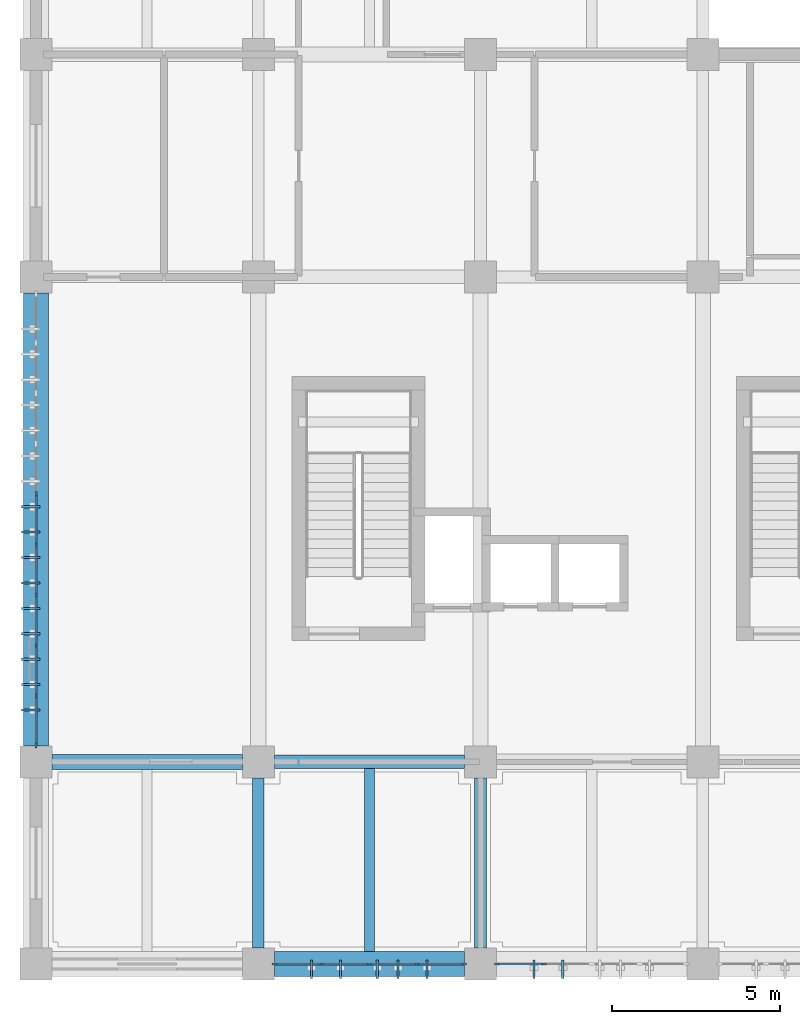
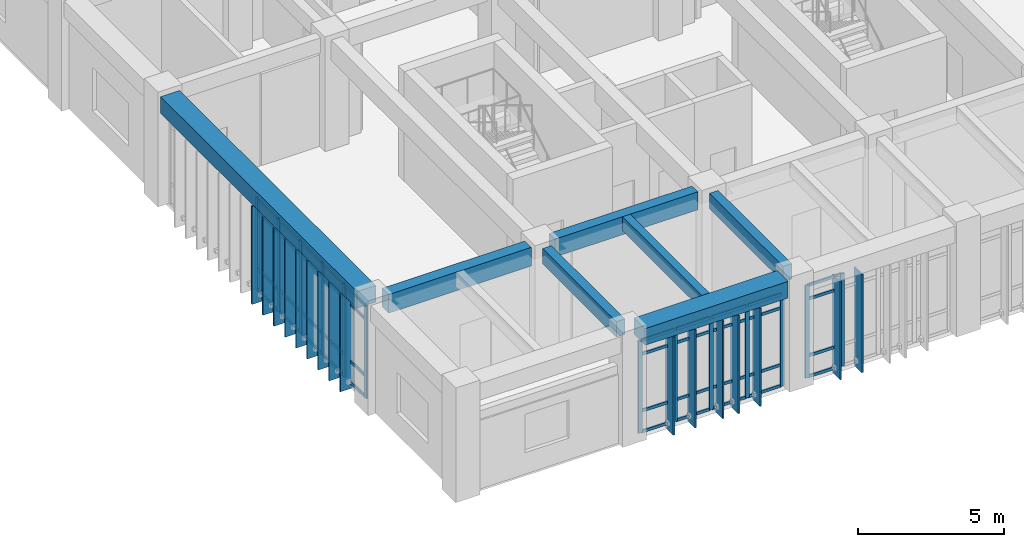
# One storey, part 2 of 68: 69 members, 7 beams, 3 elements without a shape of their own.
"""IFC4 building model written with IfcOpenShell, lengths in metres."""

from ifc_helpers import new_model, si_unit, direction, frame, origin, origin_2d, place, context, subcontext, project, spatial, rectangle, extrude, material, layer, layer_set, material_profile, profile_set, type_object, element, aggregate, save


model = new_model("IFC4")

# Units and contexts
model_context = context("Model", 3, precision=1e-05, world=origin(), true_north=direction((0.0, 1.0)))
body_context = subcontext(model_context, "Body", "Model", "MODEL_VIEW")
ifc_project = project(units=[si_unit("LENGTHUNIT", "METRE"), si_unit("AREAUNIT", "SQUARE_METRE"), si_unit("VOLUMEUNIT", "CUBIC_METRE"), si_unit("PLANEANGLEUNIT", "RADIAN"), si_unit("MASSUNIT", "GRAM", prefix="KILO")], contexts=[model_context])

# Site, building, storey
site_placement = place(None, origin())
site = spatial("IfcSite", under=ifc_project, at=site_placement, CompositionType="ELEMENT")
building_placement = place(site_placement, origin())
building = spatial("IfcBuilding", under=site, at=building_placement, Name="Miralva Faculty of Natural Sciences", CompositionType="ELEMENT")
storey_placement = place(building_placement, frame((0.0, 0.0, 5.39990234375)))
storey = spatial("IfcBuildingStorey", under=building, at=storey_placement, Name="L01", CompositionType="ELEMENT", Elevation=5.39990234375)

# Beams
ifc_material_1 = material(Name="Concrete C40/50", Category="concrete")
ifc_material_profile_1 = material_profile(ifc_material_1, rectangle(XDim=0.39990234375, YDim=0.75, at=origin_2d()), Name="RC 400x750")
ifc_profile_set_1 = profile_set([ifc_material_profile_1], Name="Concrete C40/50")
beam_type_1 = type_object("IfcBeamType", Name="BM-B03", PredefinedType="BEAM", material=ifc_profile_set_1)
beam_1_placement = place(storey_placement, frame((10.074951171875, 9.0, 4.205078125), z_axis=(1.0, 0.0, 0.0), x_axis=(0.0, 1.0, 0.0)))
element("IfcBeam", 1, at=beam_1_placement, inside=storey, type_object=beam_type_1, Name="Girder EW L01-12", PredefinedType="BEAM", context=body_context, shape_type="SweptSolid", body=[
    extrude(rectangle(XDim=0.39990234375, YDim=0.75, at=origin_2d()), origin(), (0.0, 0.0, 1.0), 5.650146484375),
])
ifc_material_profile_2 = material_profile(ifc_material_1, rectangle(XDim=0.35009765625, YDim=0.64990234375, at=origin_2d()), Name="RC 350x650")
ifc_profile_set_2 = profile_set([ifc_material_profile_2], Name="Concrete C40/50")
beam_type_2 = type_object("IfcBeamType", Name="BM-B05", PredefinedType="BEAM", material=ifc_profile_set_2)
for number, where, z_axis, x_axis, name in (
    (2, (9.60009765625, 3.47509765625, 4.255126953125), (0.0, 1.0, 0.0), (-1.0, 0.0, 0.0), "Girder NS L01-109"),
    (3, (16.199951171875, 3.47509765625, 4.255126953125), (0.0, 1.0, 0.0), (-1.0, 0.0, 0.0), "Girder NS L01-122"),
):
    element("IfcBeam", number, at=place(storey_placement, frame(where, z_axis=z_axis, x_axis=x_axis)), inside=storey, type_object=beam_type_2, Name=name, PredefinedType="BEAM", context=body_context, shape_type="SweptSolid", body=[
        extrude(rectangle(XDim=0.35009765625, YDim=0.64990234375, at=origin_2d()), origin(), (0.0, 0.0, 1.0), 5.0498046875),
    ])
ifc_material_profile_3 = material_profile(ifc_material_1, rectangle(XDim=0.43994140625, YDim=0.780029296875, at=origin_2d()), Name="RC 440x780")
ifc_profile_set_3 = profile_set([ifc_material_profile_3], Name="Concrete C40/50")
beam_type_3 = type_object("IfcBeamType", Name="BM-BG13", PredefinedType="BEAM", material=ifc_profile_set_3)
beam_2_placement = place(storey_placement, frame((3.47509765625, 9.0, 4.190185546875), z_axis=(1.0, 0.0, 0.0), x_axis=(0.0, 1.0, 0.0)))
element("IfcBeam", 4, at=beam_2_placement, inside=storey, type_object=beam_type_3, Name="Girder EW L01-11", PredefinedType="BEAM", context=body_context, shape_type="SweptSolid", body=[
    extrude(rectangle(XDim=0.43994140625, YDim=0.780029296875, at=origin_2d()), origin(), (0.0, 0.0, 1.0), 5.64990234375),
])
ifc_material_profile_4 = material_profile(ifc_material_1, rectangle(XDim=0.300048828125, YDim=0.60009765625, at=origin_2d()), Name="RC 300x600")
ifc_profile_set_4 = profile_set([ifc_material_profile_4], Name="Concrete C40/50")
beam_type_4 = type_object("IfcBeamType", Name="BM-J01", PredefinedType="JOIST", material=ifc_profile_set_4)
beam_3_placement = place(storey_placement, frame((12.89990234375, 3.375, 4.280029296875), z_axis=(0.0, 1.0, 0.0), x_axis=(-1.0, 0.0, 0.0)))
element("IfcBeam", 5, at=beam_3_placement, inside=storey, type_object=beam_type_4, Name="Floor joist L01-2", PredefinedType="JOIST", context=body_context, shape_type="SweptSolid", body=[
    extrude(rectangle(XDim=0.300048828125, YDim=0.60009765625, at=origin_2d()), origin(), (0.0, 0.0, 1.0), 5.425048828125),
])
ifc_material_profile_5 = material_profile(ifc_material_1, rectangle(XDim=0.75, YDim=0.699951171875, at=origin_2d()), Name="RC 750x700")
ifc_profile_set_5 = profile_set([ifc_material_profile_5], Name="Concrete C40/50")
beam_type_5 = type_object("IfcBeamType", Name="BM-SP01", PredefinedType="SPANDREL", material=ifc_profile_set_5)
beam_4_placement = place(storey_placement, frame((10.074951171875, 3.0, 4.22998046875), z_axis=(1.0, 0.0, 0.0), x_axis=(0.0, 1.0, 0.0)))
element("IfcBeam", 6, at=beam_4_placement, inside=storey, type_object=beam_type_5, Name="Girder EW L01-2", PredefinedType="SPANDREL", context=body_context, shape_type="SweptSolid", body=[
    extrude(rectangle(XDim=0.75, YDim=0.699951171875, at=origin_2d()), origin(), (0.0, 0.0, 1.0), 5.650146484375),
])
beam_5_placement = place(storey_placement, frame((3.0, 9.47509765625, 4.22998046875), z_axis=(0.0, 1.0, 0.0), x_axis=(-1.0, 0.0, 0.0)))
element("IfcBeam", 7, at=beam_5_placement, inside=storey, type_object=beam_type_5, Name="Girder NS L01-97", PredefinedType="SPANDREL", context=body_context, shape_type="SweptSolid", body=[
    extrude(rectangle(XDim=0.75, YDim=0.699951171875, at=origin_2d()), origin(), (0.0, 0.0, 1.0), 13.449951171875),
])

# Curtain wall, members
ifc_material_2 = material(Name="Laminated solar-control glass", Category="glass")
ifc_layer = layer(ifc_material_2, 0.179931640625, Name="CW-TWR-L01")
ifc_layer_set = layer_set([ifc_layer], Name="Laminated solar-control glass")
curtain_wall_type = type_object("IfcCurtainWallType", Name="CW-TWR-L01", PredefinedType="USERDEFINED", material=ifc_layer_set)
curtain_wall_1_placement = place(storey_placement, origin())
curtain_wall_1 = element("IfcCurtainWall", 8, at=curtain_wall_1_placement, inside=storey, type_object=curtain_wall_type, Name="Curtain wall CW-13 L01-214", ObjectType="UNITISED CURTAIN WALL", PredefinedType="USERDEFINED")
ifc_material_3 = material(Name="Anodised aluminium", Category="aluminium")
ifc_material_profile_6 = material_profile(ifc_material_3, rectangle(XDim=0.06494140625, YDim=0.159912109375, at=origin_2d()), Name="MULLION 65x160")
ifc_profile_set_6 = profile_set([ifc_material_profile_6], Name="Anodised aluminium")
member_type_1 = type_object("IfcMemberType", Name="CW-M02", PredefinedType="MULLION", material=ifc_profile_set_6)
member_1_placement = place(storey_placement, frame((10.08740234375, 3.0, 0.0), z_axis=(0.0, 0.0, 1.0), x_axis=(0.0, 1.0, 0.0)))
member_1 = element("IfcMember", 9, at=member_1_placement, type_object=member_type_1, Name="CW-13 mullion 1", PredefinedType="MULLION", context=body_context, shape_type="SweptSolid", body=[
    extrude(rectangle(XDim=0.06494140625, YDim=0.159912109375, at=origin_2d()), origin(), (0.0, 0.0, 1.0), 3.875),
])
member_2_placement = place(storey_placement, frame((11.47509765625, 3.0, 0.0), z_axis=(0.0, 0.0, 1.0), x_axis=(0.0, 1.0, 0.0)))
member_2 = element("IfcMember", 10, at=member_2_placement, type_object=member_type_1, Name="CW-13 mullion 2", PredefinedType="MULLION", context=body_context, shape_type="SweptSolid", body=[
    extrude(rectangle(XDim=0.06494140625, YDim=0.159912109375, at=origin_2d()), origin(), (0.0, 0.0, 1.0), 3.875),
])
member_3_placement = place(storey_placement, frame((12.89501953125, 3.0, 0.0), z_axis=(0.0, 0.0, 1.0), x_axis=(0.0, 1.0, 0.0)))
member_3 = element("IfcMember", 11, at=member_3_placement, type_object=member_type_1, Name="CW-13 mullion 3", PredefinedType="MULLION", context=body_context, shape_type="SweptSolid", body=[
    extrude(rectangle(XDim=0.06494140625, YDim=0.159912109375, at=origin_2d()), origin(), (0.0, 0.0, 1.0), 3.875),
])
member_4_placement = place(storey_placement, frame((14.31494140625, 3.0, 0.0), z_axis=(0.0, 0.0, 1.0), x_axis=(0.0, 1.0, 0.0)))
member_4 = element("IfcMember", 12, at=member_4_placement, type_object=member_type_1, Name="CW-13 mullion 4", PredefinedType="MULLION", context=body_context, shape_type="SweptSolid", body=[
    extrude(rectangle(XDim=0.06494140625, YDim=0.159912109375, at=origin_2d()), origin(), (0.0, 0.0, 1.0), 3.875),
])
member_5_placement = place(storey_placement, frame((15.702392578125, 3.0, 0.0), z_axis=(0.0, 0.0, 1.0), x_axis=(0.0, 1.0, 0.0)))
member_5 = element("IfcMember", 13, at=member_5_placement, type_object=member_type_1, Name="CW-13 mullion 5", PredefinedType="MULLION", context=body_context, shape_type="SweptSolid", body=[
    extrude(rectangle(XDim=0.06494140625, YDim=0.159912109375, at=origin_2d()), origin(), (0.0, 0.0, 1.0), 3.875),
])

curtain_wall_2_placement = place(storey_placement, origin())
curtain_wall_2 = element("IfcCurtainWall", 14, at=curtain_wall_2_placement, inside=storey, type_object=curtain_wall_type, Name="Curtain wall CW-13 L01-215", ObjectType="UNITISED CURTAIN WALL", PredefinedType="USERDEFINED")
member_6_placement = place(storey_placement, frame((16.6875, 3.0, 0.0), z_axis=(0.0, 0.0, 1.0), x_axis=(0.0, 1.0, 0.0)))
member_6 = element("IfcMember", 15, at=member_6_placement, type_object=member_type_1, Name="CW-13 mullion 1", PredefinedType="MULLION", context=body_context, shape_type="SweptSolid", body=[
    extrude(rectangle(XDim=0.06494140625, YDim=0.159912109375, at=origin_2d()), origin(), (0.0, 0.0, 1.0), 3.875),
])
member_7_placement = place(storey_placement, frame((18.077392578125, 3.0, 0.0), z_axis=(0.0, 0.0, 1.0), x_axis=(0.0, 1.0, 0.0)))
member_7 = element("IfcMember", 16, at=member_7_placement, type_object=member_type_1, Name="CW-13 mullion 2", PredefinedType="MULLION", context=body_context, shape_type="SweptSolid", body=[
    extrude(rectangle(XDim=0.06494140625, YDim=0.159912109375, at=origin_2d()), origin(), (0.0, 0.0, 1.0), 3.875),
])

curtain_wall_3_placement = place(storey_placement, origin())
curtain_wall_3 = element("IfcCurtainWall", 17, at=curtain_wall_3_placement, inside=storey, type_object=curtain_wall_type, Name="Curtain wall CW-13 L01-218", ObjectType="UNITISED CURTAIN WALL", PredefinedType="USERDEFINED")
member_8_placement = place(storey_placement, frame((3.0, 9.49755859375, 0.0), z_axis=(0.0, 0.0, 1.0), x_axis=(-1.0, 0.0, 0.0)))
member_8 = element("IfcMember", 18, at=member_8_placement, type_object=member_type_1, Name="CW-13 mullion 1", PredefinedType="MULLION", context=body_context, shape_type="SweptSolid", body=[
    extrude(rectangle(XDim=0.06494140625, YDim=0.159912109375, at=origin_2d()), origin(), (0.0, 0.0, 1.0), 3.875),
])
member_9_placement = place(storey_placement, frame((3.0, 10.961669921875, 0.0), z_axis=(0.0, 0.0, 1.0), x_axis=(-1.0, 0.0, 0.0)))
member_9 = element("IfcMember", 19, at=member_9_placement, type_object=member_type_1, Name="CW-13 mullion 2", PredefinedType="MULLION", context=body_context, shape_type="SweptSolid", body=[
    extrude(rectangle(XDim=0.06494140625, YDim=0.159912109375, at=origin_2d()), origin(), (0.0, 0.0, 1.0), 3.875),
])
member_10_placement = place(storey_placement, frame((3.0, 12.458251953125, 0.0), z_axis=(0.0, 0.0, 1.0), x_axis=(-1.0, 0.0, 0.0)))
member_10 = element("IfcMember", 20, at=member_10_placement, type_object=member_type_1, Name="CW-13 mullion 3", PredefinedType="MULLION", context=body_context, shape_type="SweptSolid", body=[
    extrude(rectangle(XDim=0.06494140625, YDim=0.159912109375, at=origin_2d()), origin(), (0.0, 0.0, 1.0), 3.875),
])
member_11_placement = place(storey_placement, frame((3.0, 13.955078125, 0.0), z_axis=(0.0, 0.0, 1.0), x_axis=(-1.0, 0.0, 0.0)))
member_11 = element("IfcMember", 21, at=member_11_placement, type_object=member_type_1, Name="CW-13 mullion 4", PredefinedType="MULLION", context=body_context, shape_type="SweptSolid", body=[
    extrude(rectangle(XDim=0.06494140625, YDim=0.159912109375, at=origin_2d()), origin(), (0.0, 0.0, 1.0), 3.875),
])
member_12_placement = place(storey_placement, frame((3.0, 15.45166015625, 0.0), z_axis=(0.0, 0.0, 1.0), x_axis=(-1.0, 0.0, 0.0)))
member_12 = element("IfcMember", 22, at=member_12_placement, type_object=member_type_1, Name="CW-13 mullion 5", PredefinedType="MULLION", context=body_context, shape_type="SweptSolid", body=[
    extrude(rectangle(XDim=0.06494140625, YDim=0.159912109375, at=origin_2d()), origin(), (0.0, 0.0, 1.0), 3.875),
])
member_13_placement = place(storey_placement, frame((3.0, 16.9482421875, 0.0), z_axis=(0.0, 0.0, 1.0), x_axis=(-1.0, 0.0, 0.0)))
member_13 = element("IfcMember", 23, at=member_13_placement, type_object=member_type_1, Name="CW-13 mullion 6", PredefinedType="MULLION", context=body_context, shape_type="SweptSolid", body=[
    extrude(rectangle(XDim=0.06494140625, YDim=0.159912109375, at=origin_2d()), origin(), (0.0, 0.0, 1.0), 3.875),
])

# Member
ifc_material_profile_7 = material_profile(ifc_material_3, rectangle(XDim=0.06005859375, YDim=0.1201171875, at=origin_2d()), Name="TRANSOM 60x120")
ifc_profile_set_7 = profile_set([ifc_material_profile_7], Name="Anodised aluminium")
member_type_2 = type_object("IfcMemberType", Name="CW-T02", PredefinedType="USERDEFINED", material=ifc_profile_set_7)
member_14_placement = place(storey_placement, frame((10.1201171875, 3.0, 0.030029296875), z_axis=(1.0, 0.0, 0.0), x_axis=(0.0, 1.0, 0.0)))
member_14 = element("IfcMember", 24, at=member_14_placement, type_object=member_type_2, Name="CW-13 transom 1.1", ObjectType="TRANSOM", PredefinedType="USERDEFINED", context=body_context, shape_type="SweptSolid", body=[
    extrude(rectangle(XDim=0.06005859375, YDim=0.1201171875, at=origin_2d()), origin(), (0.0, 0.0, 1.0), 1.322265625),
])

member_15_placement = place(storey_placement, frame((10.1201171875, 3.0, 0.900146484375), z_axis=(1.0, 0.0, 0.0), x_axis=(0.0, 1.0, 0.0)))
member_15 = element("IfcMember", 25, at=member_15_placement, type_object=member_type_2, Name="CW-13 transom 1.2", ObjectType="TRANSOM", PredefinedType="USERDEFINED", context=body_context, shape_type="SweptSolid", body=[
    extrude(rectangle(XDim=0.06005859375, YDim=0.1201171875, at=origin_2d()), origin(), (0.0, 0.0, 1.0), 1.322265625),
])

member_16_placement = place(storey_placement, frame((10.1201171875, 3.0, 3.275146484375), z_axis=(1.0, 0.0, 0.0), x_axis=(0.0, 1.0, 0.0)))
member_16 = element("IfcMember", 26, at=member_16_placement, type_object=member_type_2, Name="CW-13 transom 1.3", ObjectType="TRANSOM", PredefinedType="USERDEFINED", context=body_context, shape_type="SweptSolid", body=[
    extrude(rectangle(XDim=0.06005859375, YDim=0.1201171875, at=origin_2d()), origin(), (0.0, 0.0, 1.0), 1.322265625),
])

member_17_placement = place(storey_placement, frame((10.1201171875, 3.0, 3.84521484375), z_axis=(1.0, 0.0, 0.0), x_axis=(0.0, 1.0, 0.0)))
member_17 = element("IfcMember", 27, at=member_17_placement, type_object=member_type_2, Name="CW-13 transom 1.4", ObjectType="TRANSOM", PredefinedType="USERDEFINED", context=body_context, shape_type="SweptSolid", body=[
    extrude(rectangle(XDim=0.06005859375, YDim=0.1201171875, at=origin_2d()), origin(), (0.0, 0.0, 1.0), 1.322265625),
])

member_18_placement = place(storey_placement, frame((11.507568359375, 3.0, 0.030029296875), z_axis=(1.0, 0.0, 0.0), x_axis=(0.0, 1.0, 0.0)))
member_18 = element("IfcMember", 28, at=member_18_placement, type_object=member_type_2, Name="CW-13 transom 2.1", ObjectType="TRANSOM", PredefinedType="USERDEFINED", context=body_context, shape_type="SweptSolid", body=[
    extrude(rectangle(XDim=0.06005859375, YDim=0.1201171875, at=origin_2d()), origin(), (0.0, 0.0, 1.0), 1.35498046875),
])

member_19_placement = place(storey_placement, frame((11.507568359375, 3.0, 0.900146484375), z_axis=(1.0, 0.0, 0.0), x_axis=(0.0, 1.0, 0.0)))
member_19 = element("IfcMember", 29, at=member_19_placement, type_object=member_type_2, Name="CW-13 transom 2.2", ObjectType="TRANSOM", PredefinedType="USERDEFINED", context=body_context, shape_type="SweptSolid", body=[
    extrude(rectangle(XDim=0.06005859375, YDim=0.1201171875, at=origin_2d()), origin(), (0.0, 0.0, 1.0), 1.35498046875),
])

member_20_placement = place(storey_placement, frame((11.507568359375, 3.0, 3.275146484375), z_axis=(1.0, 0.0, 0.0), x_axis=(0.0, 1.0, 0.0)))
member_20 = element("IfcMember", 30, at=member_20_placement, type_object=member_type_2, Name="CW-13 transom 2.3", ObjectType="TRANSOM", PredefinedType="USERDEFINED", context=body_context, shape_type="SweptSolid", body=[
    extrude(rectangle(XDim=0.06005859375, YDim=0.1201171875, at=origin_2d()), origin(), (0.0, 0.0, 1.0), 1.35498046875),
])

member_21_placement = place(storey_placement, frame((11.507568359375, 3.0, 3.84521484375), z_axis=(1.0, 0.0, 0.0), x_axis=(0.0, 1.0, 0.0)))
member_21 = element("IfcMember", 31, at=member_21_placement, type_object=member_type_2, Name="CW-13 transom 2.4", ObjectType="TRANSOM", PredefinedType="USERDEFINED", context=body_context, shape_type="SweptSolid", body=[
    extrude(rectangle(XDim=0.06005859375, YDim=0.1201171875, at=origin_2d()), origin(), (0.0, 0.0, 1.0), 1.35498046875),
])

member_22_placement = place(storey_placement, frame((12.927490234375, 3.0, 0.030029296875), z_axis=(1.0, 0.0, 0.0), x_axis=(0.0, 1.0, 0.0)))
member_22 = element("IfcMember", 32, at=member_22_placement, type_object=member_type_2, Name="CW-13 transom 3.1", ObjectType="TRANSOM", PredefinedType="USERDEFINED", context=body_context, shape_type="SweptSolid", body=[
    extrude(rectangle(XDim=0.06005859375, YDim=0.1201171875, at=origin_2d()), origin(), (0.0, 0.0, 1.0), 1.35498046875),
])

member_23_placement = place(storey_placement, frame((12.927490234375, 3.0, 0.900146484375), z_axis=(1.0, 0.0, 0.0), x_axis=(0.0, 1.0, 0.0)))
member_23 = element("IfcMember", 33, at=member_23_placement, type_object=member_type_2, Name="CW-13 transom 3.2", ObjectType="TRANSOM", PredefinedType="USERDEFINED", context=body_context, shape_type="SweptSolid", body=[
    extrude(rectangle(XDim=0.06005859375, YDim=0.1201171875, at=origin_2d()), origin(), (0.0, 0.0, 1.0), 1.35498046875),
])

member_24_placement = place(storey_placement, frame((12.927490234375, 3.0, 3.275146484375), z_axis=(1.0, 0.0, 0.0), x_axis=(0.0, 1.0, 0.0)))
member_24 = element("IfcMember", 34, at=member_24_placement, type_object=member_type_2, Name="CW-13 transom 3.3", ObjectType="TRANSOM", PredefinedType="USERDEFINED", context=body_context, shape_type="SweptSolid", body=[
    extrude(rectangle(XDim=0.06005859375, YDim=0.1201171875, at=origin_2d()), origin(), (0.0, 0.0, 1.0), 1.35498046875),
])

member_25_placement = place(storey_placement, frame((12.927490234375, 3.0, 3.84521484375), z_axis=(1.0, 0.0, 0.0), x_axis=(0.0, 1.0, 0.0)))
member_25 = element("IfcMember", 35, at=member_25_placement, type_object=member_type_2, Name="CW-13 transom 3.4", ObjectType="TRANSOM", PredefinedType="USERDEFINED", context=body_context, shape_type="SweptSolid", body=[
    extrude(rectangle(XDim=0.06005859375, YDim=0.1201171875, at=origin_2d()), origin(), (0.0, 0.0, 1.0), 1.35498046875),
])

member_26_placement = place(storey_placement, frame((14.347412109375, 3.0, 0.030029296875), z_axis=(1.0, 0.0, 0.0), x_axis=(0.0, 1.0, 0.0)))
member_26 = element("IfcMember", 36, at=member_26_placement, type_object=member_type_2, Name="CW-13 transom 4.1", ObjectType="TRANSOM", PredefinedType="USERDEFINED", context=body_context, shape_type="SweptSolid", body=[
    extrude(rectangle(XDim=0.06005859375, YDim=0.1201171875, at=origin_2d()), origin(), (0.0, 0.0, 1.0), 1.322509765625),
])

member_27_placement = place(storey_placement, frame((14.347412109375, 3.0, 0.900146484375), z_axis=(1.0, 0.0, 0.0), x_axis=(0.0, 1.0, 0.0)))
member_27 = element("IfcMember", 37, at=member_27_placement, type_object=member_type_2, Name="CW-13 transom 4.2", ObjectType="TRANSOM", PredefinedType="USERDEFINED", context=body_context, shape_type="SweptSolid", body=[
    extrude(rectangle(XDim=0.06005859375, YDim=0.1201171875, at=origin_2d()), origin(), (0.0, 0.0, 1.0), 1.322509765625),
])

member_28_placement = place(storey_placement, frame((14.347412109375, 3.0, 3.275146484375), z_axis=(1.0, 0.0, 0.0), x_axis=(0.0, 1.0, 0.0)))
member_28 = element("IfcMember", 38, at=member_28_placement, type_object=member_type_2, Name="CW-13 transom 4.3", ObjectType="TRANSOM", PredefinedType="USERDEFINED", context=body_context, shape_type="SweptSolid", body=[
    extrude(rectangle(XDim=0.06005859375, YDim=0.1201171875, at=origin_2d()), origin(), (0.0, 0.0, 1.0), 1.322509765625),
])

member_29_placement = place(storey_placement, frame((14.347412109375, 3.0, 3.84521484375), z_axis=(1.0, 0.0, 0.0), x_axis=(0.0, 1.0, 0.0)))
member_29 = element("IfcMember", 39, at=member_29_placement, type_object=member_type_2, Name="CW-13 transom 4.4", ObjectType="TRANSOM", PredefinedType="USERDEFINED", context=body_context, shape_type="SweptSolid", body=[
    extrude(rectangle(XDim=0.06005859375, YDim=0.1201171875, at=origin_2d()), origin(), (0.0, 0.0, 1.0), 1.322509765625),
])

aggregate(curtain_wall_1, [member_1, member_2, member_3, member_4, member_5, member_14, member_15, member_16, member_17, member_18, member_19, member_20, member_21, member_22, member_23, member_24, member_25, member_26, member_27, member_28, member_29])

member_30_placement = place(storey_placement, frame((16.719970703125, 3.0, 0.030029296875), z_axis=(1.0, 0.0, 0.0), x_axis=(0.0, 1.0, 0.0)))
member_30 = element("IfcMember", 40, at=member_30_placement, type_object=member_type_2, Name="CW-13 transom 1.1", ObjectType="TRANSOM", PredefinedType="USERDEFINED", context=body_context, shape_type="SweptSolid", body=[
    extrude(rectangle(XDim=0.06005859375, YDim=0.1201171875, at=origin_2d()), origin(), (0.0, 0.0, 1.0), 1.324951171875),
])

member_31_placement = place(storey_placement, frame((16.719970703125, 3.0, 0.900146484375), z_axis=(1.0, 0.0, 0.0), x_axis=(0.0, 1.0, 0.0)))
member_31 = element("IfcMember", 41, at=member_31_placement, type_object=member_type_2, Name="CW-13 transom 1.2", ObjectType="TRANSOM", PredefinedType="USERDEFINED", context=body_context, shape_type="SweptSolid", body=[
    extrude(rectangle(XDim=0.06005859375, YDim=0.1201171875, at=origin_2d()), origin(), (0.0, 0.0, 1.0), 1.324951171875),
])

member_32_placement = place(storey_placement, frame((16.719970703125, 3.0, 3.275146484375), z_axis=(1.0, 0.0, 0.0), x_axis=(0.0, 1.0, 0.0)))
member_32 = element("IfcMember", 42, at=member_32_placement, type_object=member_type_2, Name="CW-13 transom 1.3", ObjectType="TRANSOM", PredefinedType="USERDEFINED", context=body_context, shape_type="SweptSolid", body=[
    extrude(rectangle(XDim=0.06005859375, YDim=0.1201171875, at=origin_2d()), origin(), (0.0, 0.0, 1.0), 1.324951171875),
])

member_33_placement = place(storey_placement, frame((16.719970703125, 3.0, 3.84521484375), z_axis=(1.0, 0.0, 0.0), x_axis=(0.0, 1.0, 0.0)))
member_33 = element("IfcMember", 43, at=member_33_placement, type_object=member_type_2, Name="CW-13 transom 1.4", ObjectType="TRANSOM", PredefinedType="USERDEFINED", context=body_context, shape_type="SweptSolid", body=[
    extrude(rectangle(XDim=0.06005859375, YDim=0.1201171875, at=origin_2d()), origin(), (0.0, 0.0, 1.0), 1.324951171875),
])

aggregate(curtain_wall_2, [member_6, member_7, member_30, member_31, member_32, member_33])

member_34_placement = place(storey_placement, frame((3.0, 9.530029296875, 0.030029296875), z_axis=(0.0, 1.0, 0.0), x_axis=(-1.0, 0.0, 0.0)))
member_34 = element("IfcMember", 44, at=member_34_placement, type_object=member_type_2, Name="CW-13 transom 1.1", ObjectType="TRANSOM", PredefinedType="USERDEFINED", context=body_context, shape_type="SweptSolid", body=[
    extrude(rectangle(XDim=0.06005859375, YDim=0.1201171875, at=origin_2d()), origin(), (0.0, 0.0, 1.0), 1.399169921875),
])

member_35_placement = place(storey_placement, frame((3.0, 9.530029296875, 0.900146484375), z_axis=(0.0, 1.0, 0.0), x_axis=(-1.0, 0.0, 0.0)))
member_35 = element("IfcMember", 45, at=member_35_placement, type_object=member_type_2, Name="CW-13 transom 1.2", ObjectType="TRANSOM", PredefinedType="USERDEFINED", context=body_context, shape_type="SweptSolid", body=[
    extrude(rectangle(XDim=0.06005859375, YDim=0.1201171875, at=origin_2d()), origin(), (0.0, 0.0, 1.0), 1.399169921875),
])

member_36_placement = place(storey_placement, frame((3.0, 9.530029296875, 3.275146484375), z_axis=(0.0, 1.0, 0.0), x_axis=(-1.0, 0.0, 0.0)))
member_36 = element("IfcMember", 46, at=member_36_placement, type_object=member_type_2, Name="CW-13 transom 1.3", ObjectType="TRANSOM", PredefinedType="USERDEFINED", context=body_context, shape_type="SweptSolid", body=[
    extrude(rectangle(XDim=0.06005859375, YDim=0.1201171875, at=origin_2d()), origin(), (0.0, 0.0, 1.0), 1.399169921875),
])

member_37_placement = place(storey_placement, frame((3.0, 9.530029296875, 3.84521484375), z_axis=(0.0, 1.0, 0.0), x_axis=(-1.0, 0.0, 0.0)))
member_37 = element("IfcMember", 47, at=member_37_placement, type_object=member_type_2, Name="CW-13 transom 1.4", ObjectType="TRANSOM", PredefinedType="USERDEFINED", context=body_context, shape_type="SweptSolid", body=[
    extrude(rectangle(XDim=0.06005859375, YDim=0.1201171875, at=origin_2d()), origin(), (0.0, 0.0, 1.0), 1.399169921875),
])

member_38_placement = place(storey_placement, frame((3.0, 10.994140625, 0.030029296875), z_axis=(0.0, 1.0, 0.0), x_axis=(-1.0, 0.0, 0.0)))
member_38 = element("IfcMember", 48, at=member_38_placement, type_object=member_type_2, Name="CW-13 transom 2.1", ObjectType="TRANSOM", PredefinedType="USERDEFINED", context=body_context, shape_type="SweptSolid", body=[
    extrude(rectangle(XDim=0.06005859375, YDim=0.1201171875, at=origin_2d()), origin(), (0.0, 0.0, 1.0), 1.431640625),
])

member_39_placement = place(storey_placement, frame((3.0, 10.994140625, 0.900146484375), z_axis=(0.0, 1.0, 0.0), x_axis=(-1.0, 0.0, 0.0)))
member_39 = element("IfcMember", 49, at=member_39_placement, type_object=member_type_2, Name="CW-13 transom 2.2", ObjectType="TRANSOM", PredefinedType="USERDEFINED", context=body_context, shape_type="SweptSolid", body=[
    extrude(rectangle(XDim=0.06005859375, YDim=0.1201171875, at=origin_2d()), origin(), (0.0, 0.0, 1.0), 1.431640625),
])

member_40_placement = place(storey_placement, frame((3.0, 10.994140625, 3.275146484375), z_axis=(0.0, 1.0, 0.0), x_axis=(-1.0, 0.0, 0.0)))
member_40 = element("IfcMember", 50, at=member_40_placement, type_object=member_type_2, Name="CW-13 transom 2.3", ObjectType="TRANSOM", PredefinedType="USERDEFINED", context=body_context, shape_type="SweptSolid", body=[
    extrude(rectangle(XDim=0.06005859375, YDim=0.1201171875, at=origin_2d()), origin(), (0.0, 0.0, 1.0), 1.431640625),
])

member_41_placement = place(storey_placement, frame((3.0, 10.994140625, 3.84521484375), z_axis=(0.0, 1.0, 0.0), x_axis=(-1.0, 0.0, 0.0)))
member_41 = element("IfcMember", 51, at=member_41_placement, type_object=member_type_2, Name="CW-13 transom 2.4", ObjectType="TRANSOM", PredefinedType="USERDEFINED", context=body_context, shape_type="SweptSolid", body=[
    extrude(rectangle(XDim=0.06005859375, YDim=0.1201171875, at=origin_2d()), origin(), (0.0, 0.0, 1.0), 1.431640625),
])

member_42_placement = place(storey_placement, frame((3.0, 12.49072265625, 0.030029296875), z_axis=(0.0, 1.0, 0.0), x_axis=(-1.0, 0.0, 0.0)))
member_42 = element("IfcMember", 52, at=member_42_placement, type_object=member_type_2, Name="CW-13 transom 3.1", ObjectType="TRANSOM", PredefinedType="USERDEFINED", context=body_context, shape_type="SweptSolid", body=[
    extrude(rectangle(XDim=0.06005859375, YDim=0.1201171875, at=origin_2d()), origin(), (0.0, 0.0, 1.0), 1.431884765625),
])

member_43_placement = place(storey_placement, frame((3.0, 12.49072265625, 0.900146484375), z_axis=(0.0, 1.0, 0.0), x_axis=(-1.0, 0.0, 0.0)))
member_43 = element("IfcMember", 53, at=member_43_placement, type_object=member_type_2, Name="CW-13 transom 3.2", ObjectType="TRANSOM", PredefinedType="USERDEFINED", context=body_context, shape_type="SweptSolid", body=[
    extrude(rectangle(XDim=0.06005859375, YDim=0.1201171875, at=origin_2d()), origin(), (0.0, 0.0, 1.0), 1.431884765625),
])

member_44_placement = place(storey_placement, frame((3.0, 12.49072265625, 3.275146484375), z_axis=(0.0, 1.0, 0.0), x_axis=(-1.0, 0.0, 0.0)))
member_44 = element("IfcMember", 54, at=member_44_placement, type_object=member_type_2, Name="CW-13 transom 3.3", ObjectType="TRANSOM", PredefinedType="USERDEFINED", context=body_context, shape_type="SweptSolid", body=[
    extrude(rectangle(XDim=0.06005859375, YDim=0.1201171875, at=origin_2d()), origin(), (0.0, 0.0, 1.0), 1.431884765625),
])

member_45_placement = place(storey_placement, frame((3.0, 12.49072265625, 3.84521484375), z_axis=(0.0, 1.0, 0.0), x_axis=(-1.0, 0.0, 0.0)))
member_45 = element("IfcMember", 55, at=member_45_placement, type_object=member_type_2, Name="CW-13 transom 3.4", ObjectType="TRANSOM", PredefinedType="USERDEFINED", context=body_context, shape_type="SweptSolid", body=[
    extrude(rectangle(XDim=0.06005859375, YDim=0.1201171875, at=origin_2d()), origin(), (0.0, 0.0, 1.0), 1.431884765625),
])

member_46_placement = place(storey_placement, frame((3.0, 13.987548828125, 0.030029296875), z_axis=(0.0, 1.0, 0.0), x_axis=(-1.0, 0.0, 0.0)))
member_46 = element("IfcMember", 56, at=member_46_placement, type_object=member_type_2, Name="CW-13 transom 4.1", ObjectType="TRANSOM", PredefinedType="USERDEFINED", context=body_context, shape_type="SweptSolid", body=[
    extrude(rectangle(XDim=0.06005859375, YDim=0.1201171875, at=origin_2d()), origin(), (0.0, 0.0, 1.0), 1.431640625),
])

member_47_placement = place(storey_placement, frame((3.0, 13.987548828125, 0.900146484375), z_axis=(0.0, 1.0, 0.0), x_axis=(-1.0, 0.0, 0.0)))
member_47 = element("IfcMember", 57, at=member_47_placement, type_object=member_type_2, Name="CW-13 transom 4.2", ObjectType="TRANSOM", PredefinedType="USERDEFINED", context=body_context, shape_type="SweptSolid", body=[
    extrude(rectangle(XDim=0.06005859375, YDim=0.1201171875, at=origin_2d()), origin(), (0.0, 0.0, 1.0), 1.431640625),
])

member_48_placement = place(storey_placement, frame((3.0, 13.987548828125, 3.275146484375), z_axis=(0.0, 1.0, 0.0), x_axis=(-1.0, 0.0, 0.0)))
member_48 = element("IfcMember", 58, at=member_48_placement, type_object=member_type_2, Name="CW-13 transom 4.3", ObjectType="TRANSOM", PredefinedType="USERDEFINED", context=body_context, shape_type="SweptSolid", body=[
    extrude(rectangle(XDim=0.06005859375, YDim=0.1201171875, at=origin_2d()), origin(), (0.0, 0.0, 1.0), 1.431640625),
])

member_49_placement = place(storey_placement, frame((3.0, 13.987548828125, 3.84521484375), z_axis=(0.0, 1.0, 0.0), x_axis=(-1.0, 0.0, 0.0)))
member_49 = element("IfcMember", 59, at=member_49_placement, type_object=member_type_2, Name="CW-13 transom 4.4", ObjectType="TRANSOM", PredefinedType="USERDEFINED", context=body_context, shape_type="SweptSolid", body=[
    extrude(rectangle(XDim=0.06005859375, YDim=0.1201171875, at=origin_2d()), origin(), (0.0, 0.0, 1.0), 1.431640625),
])

member_50_placement = place(storey_placement, frame((3.0, 15.484130859375, 0.030029296875), z_axis=(0.0, 1.0, 0.0), x_axis=(-1.0, 0.0, 0.0)))
member_50 = element("IfcMember", 60, at=member_50_placement, type_object=member_type_2, Name="CW-13 transom 5.1", ObjectType="TRANSOM", PredefinedType="USERDEFINED", context=body_context, shape_type="SweptSolid", body=[
    extrude(rectangle(XDim=0.06005859375, YDim=0.1201171875, at=origin_2d()), origin(), (0.0, 0.0, 1.0), 1.431640625),
])

member_51_placement = place(storey_placement, frame((3.0, 15.484130859375, 0.900146484375), z_axis=(0.0, 1.0, 0.0), x_axis=(-1.0, 0.0, 0.0)))
member_51 = element("IfcMember", 61, at=member_51_placement, type_object=member_type_2, Name="CW-13 transom 5.2", ObjectType="TRANSOM", PredefinedType="USERDEFINED", context=body_context, shape_type="SweptSolid", body=[
    extrude(rectangle(XDim=0.06005859375, YDim=0.1201171875, at=origin_2d()), origin(), (0.0, 0.0, 1.0), 1.431640625),
])

member_52_placement = place(storey_placement, frame((3.0, 15.484130859375, 3.275146484375), z_axis=(0.0, 1.0, 0.0), x_axis=(-1.0, 0.0, 0.0)))
member_52 = element("IfcMember", 62, at=member_52_placement, type_object=member_type_2, Name="CW-13 transom 5.3", ObjectType="TRANSOM", PredefinedType="USERDEFINED", context=body_context, shape_type="SweptSolid", body=[
    extrude(rectangle(XDim=0.06005859375, YDim=0.1201171875, at=origin_2d()), origin(), (0.0, 0.0, 1.0), 1.431640625),
])

member_53_placement = place(storey_placement, frame((3.0, 15.484130859375, 3.84521484375), z_axis=(0.0, 1.0, 0.0), x_axis=(-1.0, 0.0, 0.0)))
member_53 = element("IfcMember", 63, at=member_53_placement, type_object=member_type_2, Name="CW-13 transom 5.4", ObjectType="TRANSOM", PredefinedType="USERDEFINED", context=body_context, shape_type="SweptSolid", body=[
    extrude(rectangle(XDim=0.06005859375, YDim=0.1201171875, at=origin_2d()), origin(), (0.0, 0.0, 1.0), 1.431640625),
])

aggregate(curtain_wall_3, [member_8, member_9, member_10, member_11, member_12, member_13, member_34, member_35, member_36, member_37, member_38, member_39, member_40, member_41, member_42, member_43, member_44, member_45, member_46, member_47, member_48, member_49, member_50, member_51, member_52, member_53])

# Members
ifc_material_profile_8 = material_profile(ifc_material_3, rectangle(XDim=0.06494140625, YDim=0.550048828125, at=origin_2d()), Name="FIN 550x65")
ifc_profile_set_8 = profile_set([ifc_material_profile_8], Name="Anodised aluminium")
member_type_3 = type_object("IfcMemberType", Name="MEM-SF03", PredefinedType="USERDEFINED", material=ifc_profile_set_8)
for number, where, z_axis, x_axis, name in (
    (64, (11.18310546875, 2.840087890625, -0.219970703125), (0.0, 0.0, 1.0), (1.0, 0.0, 0.0), "Solar shading fin SF-03 L01-189"),
    (65, (12.0390625, 2.840087890625, -0.219970703125), (0.0, 0.0, 1.0), (1.0, 0.0, 0.0), "Solar shading fin SF-03 L01-190"),
    (66, (13.135009765625, 2.840087890625, -0.219970703125), (0.0, 0.0, 1.0), (1.0, 0.0, 0.0), "Solar shading fin SF-03 L01-191"),
    (67, (13.7509765625, 2.840087890625, -0.219970703125), (0.0, 0.0, 1.0), (1.0, 0.0, 0.0), "Solar shading fin SF-03 L01-192"),
    (68, (14.60693359375, 2.840087890625, -0.219970703125), (0.0, 0.0, 1.0), (1.0, 0.0, 0.0), "Solar shading fin SF-03 L01-193"),
    (69, (17.783935546875, 2.840087890625, -0.219970703125), (0.0, 0.0, 1.0), (1.0, 0.0, 0.0), "Solar shading fin SF-03 L01-194"),
    (70, (18.64208984375, 2.840087890625, -0.219970703125), (0.0, 0.0, 1.0), (1.0, 0.0, 0.0), "Solar shading fin SF-03 L01-195"),
    (71, (2.840087890625, 10.542236328125, -0.219970703125), (0.0, 0.0, 1.0), (0.0, -1.0, 0.0), "Solar shading fin SF-03 L01-209"),
    (72, (2.840087890625, 11.296630859375, -0.219970703125), (0.0, 0.0, 1.0), (0.0, -1.0, 0.0), "Solar shading fin SF-03 L01-210"),
    (73, (2.840087890625, 12.05078125, -0.219970703125), (0.0, 0.0, 1.0), (0.0, -1.0, 0.0), "Solar shading fin SF-03 L01-211"),
    (74, (2.840087890625, 12.805419921875, -0.219970703125), (0.0, 0.0, 1.0), (0.0, -1.0, 0.0), "Solar shading fin SF-03 L01-212"),
    (75, (2.840087890625, 13.559814453125, -0.219970703125), (0.0, 0.0, 1.0), (0.0, -1.0, 0.0), "Solar shading fin SF-03 L01-213"),
    (76, (2.840087890625, 14.314208984375, -0.219970703125), (0.0, 0.0, 1.0), (0.0, -1.0, 0.0), "Solar shading fin SF-03 L01-214"),
    (77, (2.840087890625, 15.068359375, -0.219970703125), (0.0, 0.0, 1.0), (0.0, -1.0, 0.0), "Solar shading fin SF-03 L01-215"),
    (78, (2.840087890625, 15.82275390625, -0.219970703125), (0.0, 0.0, 1.0), (0.0, -1.0, 0.0), "Solar shading fin SF-03 L01-216"),
    (79, (2.840087890625, 16.5771484375, -0.219970703125), (0.0, 0.0, 1.0), (0.0, -1.0, 0.0), "Solar shading fin SF-03 L01-217"),
):
    element("IfcMember", number, at=place(storey_placement, frame(where, z_axis=z_axis, x_axis=x_axis)), inside=storey, type_object=member_type_3, Name=name, ObjectType="SUNSHADE", PredefinedType="USERDEFINED", context=body_context, shape_type="SweptSolid", body=[
        extrude(rectangle(XDim=0.06494140625, YDim=0.550048828125, at=origin_2d()), origin(), (0.0, 0.0, 1.0), 4.094970703125),
    ])

save(model, "model.ifc")
